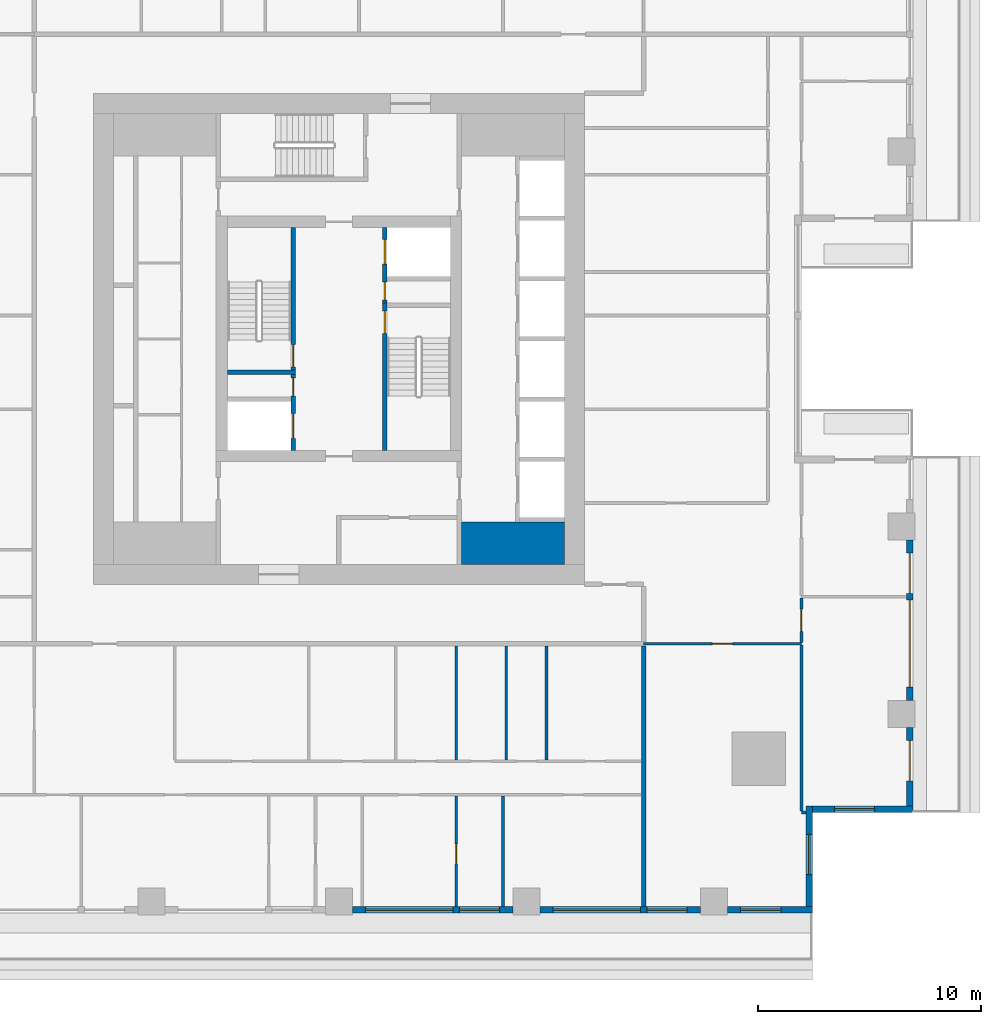
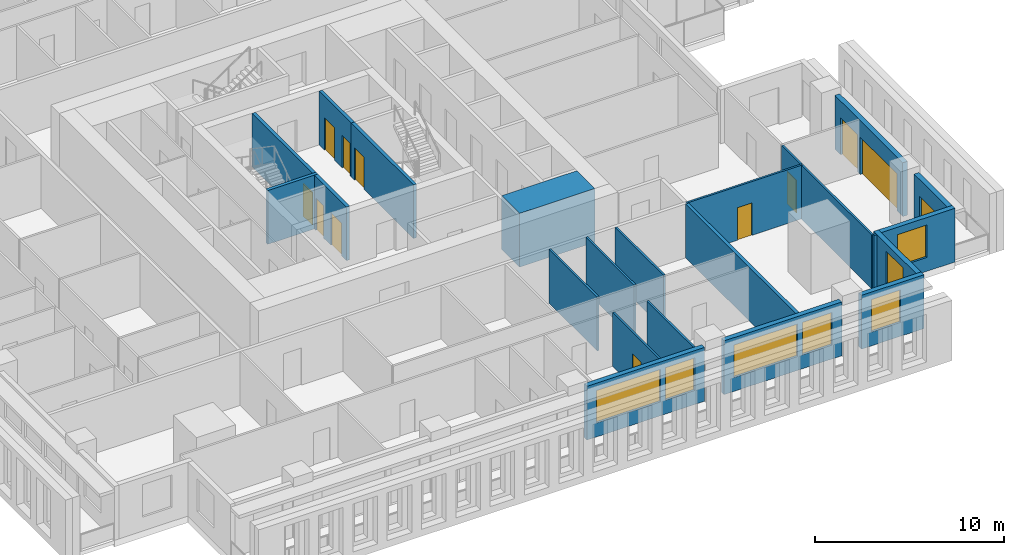
# One storey, part 4 of 15: 23 walls, 12 doors, 7 windows, 19 openings.
"""IFC4 building model written with IfcOpenShell, lengths in metres."""

from ifc_helpers import new_model, si_unit, direction, frame, frame_2d, origin, place, context, subcontext, project, spatial, rectangle, extrude, material, layer, layer_set, type_object, element, fill, save


model = new_model("IFC4")

# Units and contexts
model_context = context("Model", 3, precision=1e-05, world=origin(), true_north=direction((0.0, 1.0)))
body_context = subcontext(model_context, "Body", "Model", "MODEL_VIEW")
ifc_project = project(units=[si_unit("LENGTHUNIT", "METRE"), si_unit("AREAUNIT", "SQUARE_METRE"), si_unit("VOLUMEUNIT", "CUBIC_METRE"), si_unit("PLANEANGLEUNIT", "RADIAN"), si_unit("MASSUNIT", "GRAM", prefix="KILO")], contexts=[model_context])

# Site, building, storey
site_placement = place(None, origin())
site = spatial("IfcSite", under=ifc_project, at=site_placement, CompositionType="ELEMENT")
building_placement = place(site_placement, origin())
building = spatial("IfcBuilding", under=site, at=building_placement, Name="Khepri Terraces", CompositionType="ELEMENT")
storey_placement = place(building_placement, frame((0.0, 0.0, 196.199951171875)))
storey = spatial("IfcBuildingStorey", under=building, at=storey_placement, Name="L46", CompositionType="ELEMENT", Elevation=196.199951171875)

# Wall
ifc_material_1 = material(Name="Concrete C50/60", Category="concrete")
ifc_layer_1 = layer(ifc_material_1, 1.89990234375, Name="Concrete C50/60", Category="concrete")
ifc_layer_set_1 = layer_set([ifc_layer_1], Name="Concrete C50/60")
wall_type_1 = type_object("IfcWallType", Name="Core wall 1900 C50/60", PredefinedType="SHEAR", material=ifc_layer_set_1)
wall_1_placement = place(storey_placement, frame((5.5, -9.14990234375, 0.0), z_axis=(0.0, 0.0, 1.0), x_axis=(1.0, 0.0, 0.0)))
element("IfcWall", 1, at=wall_1_placement, inside=storey, type_object=wall_type_1, Name="Core wall PR02 L46", PredefinedType="SHEAR", context=body_context, shape_type="SweptSolid", body=[
    extrude(rectangle(XDim=4.60009765625, YDim=1.89990234375, at=frame_2d((2.300048828125, 0.0))), origin(), (0.0, 0.0, 1.0), 3.47998046875),
])

# Wall, opening, door
ifc_layer_2 = layer(ifc_material_1, 0.199951171875, Name="Concrete C50/60", Category="concrete")
ifc_layer_set_2 = layer_set([ifc_layer_2], Name="Concrete C50/60")
wall_type_2 = type_object("IfcWallType", Name="Core wall 200 C50/60", PredefinedType="SHEAR", material=ifc_layer_set_2)
wall_2_placement = place(storey_placement, frame((2.050048828125, -5.0, 0.0), z_axis=(0.0, 0.0, 1.0), x_axis=(0.0, 1.0, 0.0)))
wall_2 = element("IfcWall", 2, at=wall_2_placement, inside=storey, type_object=wall_type_2, Name="Core wall ST01 L46", PredefinedType="SHEAR", context=body_context, shape_type="SweptSolid", body=[
    extrude(rectangle(XDim=6.60009765625, YDim=0.199951171875, at=frame_2d((3.300048828125, 0.0))), origin(), (0.0, 0.0, 1.0), 3.47998046875),
])
opening_1_placement = place(wall_2_placement, frame((5.25, 0.0, 0.0)))
opening_1 = element("IfcOpeningElement", 3, at=opening_1_placement, cuts=wall_2, Name="Opening L46-C10", PredefinedType="OPENING", context=body_context, shape_type="SweptSolid", body=[
    extrude(rectangle(XDim=1.0, YDim=2.10009765625, at=frame_2d((0.5, 1.050048828125))), frame((0.0, 0.10986328125, 0.0), z_axis=(0.0, -1.0, 0.0), x_axis=(1.0, 0.0, 0.0)), (0.0, 0.0, 1.0), 0.219970703125),
])
ifc_material_2 = material(Name="Painted steel", Category="steel")
door_type_1 = type_object("IfcDoorType", Name="DR-CORE-STAIR-1000", OperationType="NOTDEFINED", PredefinedType="DOOR", material=ifc_material_2)
door_1_placement = place(opening_1_placement, frame((1.0, 0.0, 0.0), z_axis=(0.0, 0.0, 1.0), x_axis=(-1.0, 0.0, 0.0)))
door_1 = element("IfcDoor", 4, at=door_1_placement, inside=storey, type_object=door_type_1, Name="Stair door L46-C10", OperationType="SINGLE_SWING_LEFT", OverallHeight=2.10009765625, OverallWidth=1.0, PredefinedType="DOOR", context=body_context, shape_type="SweptSolid", body=[
    extrude(rectangle(XDim=1.0, YDim=2.10009765625, at=frame_2d((0.5, 1.050048828125))), frame((0.0, 0.02490234375, 0.0), z_axis=(0.0, -1.0, 0.0), x_axis=(1.0, 0.0, 0.0)), (0.0, 0.0, 1.0), 0.050048828125),
])
fill(opening_1, door_1)

# Wall
wall_3_placement = place(storey_placement, frame((-5.0, -1.5, 0.0), z_axis=(0.0, 0.0, 1.0), x_axis=(1.0, 0.0, 0.0)))
element("IfcWall", 5, at=wall_3_placement, inside=storey, type_object=wall_type_2, Name="Core wall ST02 L46", PredefinedType="SHEAR", context=body_context, shape_type="SweptSolid", body=[
    extrude(rectangle(XDim=3.050048828125, YDim=0.199951171875, at=frame_2d((1.52490234375, 0.0))), origin(), (0.0, 0.0, 1.0), 3.47998046875),
])

# Wall, opening, door
wall_4_placement = place(storey_placement, frame((-2.050048828125, -1.39990234375, 0.0), z_axis=(0.0, 0.0, 1.0), x_axis=(0.0, 1.0, 0.0)))
wall_4 = element("IfcWall", 6, at=wall_4_placement, inside=storey, type_object=wall_type_2, Name="Core wall ST03 L46", PredefinedType="SHEAR", context=body_context, shape_type="SweptSolid", body=[
    extrude(rectangle(XDim=6.39990234375, YDim=0.199951171875, at=frame_2d((3.199951171875, 0.0))), origin(), (0.0, 0.0, 1.0), 3.47998046875),
])
opening_2_placement = place(wall_4_placement, frame((0.14990234375, 0.0, 0.0)))
opening_2 = element("IfcOpeningElement", 7, at=opening_2_placement, cuts=wall_4, Name="Opening L46-C09", PredefinedType="OPENING", context=body_context, shape_type="SweptSolid", body=[
    extrude(rectangle(XDim=1.0, YDim=2.10009765625, at=frame_2d((0.5, 1.050048828125))), frame((0.0, 0.10986328125, 0.0), z_axis=(0.0, -1.0, 0.0), x_axis=(1.0, 0.0, 0.0)), (0.0, 0.0, 1.0), 0.219970703125),
])
door_2_placement = place(opening_2_placement, origin())
door_2 = element("IfcDoor", 8, at=door_2_placement, inside=storey, type_object=door_type_1, Name="Stair door L46-C09", OperationType="SINGLE_SWING_LEFT", OverallHeight=2.10009765625, OverallWidth=1.0, PredefinedType="DOOR", context=body_context, shape_type="SweptSolid", body=[
    extrude(rectangle(XDim=1.0, YDim=2.10009765625, at=frame_2d((0.5, 1.050048828125))), frame((0.0, 0.02490234375, 0.0), z_axis=(0.0, -1.0, 0.0), x_axis=(1.0, 0.0, 0.0)), (0.0, 0.0, 1.0), 0.050048828125),
])
fill(opening_2, door_2)

# Wall, openings, doors
wall_5_placement = place(storey_placement, frame((-2.050048828125, -5.0, 0.0), z_axis=(0.0, 0.0, 1.0), x_axis=(0.0, 1.0, 0.0)))
wall_5 = element("IfcWall", 9, at=wall_5_placement, inside=storey, type_object=wall_type_2, Name="Core wall SH05 L46", PredefinedType="SHEAR", context=body_context, shape_type="SweptSolid", body=[
    extrude(rectangle(XDim=3.39990234375, YDim=0.199951171875, at=frame_2d((1.699951171875, 0.0))), origin(), (0.0, 0.0, 1.0), 3.47998046875),
])
opening_3_placement = place(wall_5_placement, frame((0.550048828125, 0.0, 0.0)))
opening_3 = element("IfcOpeningElement", 10, at=opening_3_placement, cuts=wall_5, Name="Opening L46-C08", PredefinedType="OPENING", context=body_context, shape_type="SweptSolid", body=[
    extrude(rectangle(XDim=1.10009765625, YDim=2.10009765625, at=frame_2d((0.550048828125, 1.050048828125))), frame((0.0, 0.10986328125, 0.0), z_axis=(0.0, -1.0, 0.0), x_axis=(1.0, 0.0, 0.0)), (0.0, 0.0, 1.0), 0.219970703125),
])
opening_4_placement = place(wall_5_placement, frame((2.449951171875, 0.0, 0.0)))
opening_4 = element("IfcOpeningElement", 11, at=opening_4_placement, cuts=wall_5, Name="Opening L46-C12", PredefinedType="OPENING", context=body_context, shape_type="SweptSolid", body=[
    extrude(rectangle(XDim=0.800048828125, YDim=2.10009765625, at=frame_2d((0.39990234375, 1.050048828125))), frame((0.0, 0.10986328125, 0.0), z_axis=(0.0, -1.0, 0.0), x_axis=(1.0, 0.0, 0.0)), (0.0, 0.0, 1.0), 0.219970703125),
])
ifc_material_3 = material(Name="Stainless steel 304", Category="steel")
door_type_2 = type_object("IfcDoorType", Name="DR-CORE-FF-LANDING-1100", OperationType="NOTDEFINED", PredefinedType="DOOR", material=ifc_material_3)
door_3_placement = place(opening_3_placement, origin())
door_3 = element("IfcDoor", 12, at=door_3_placement, inside=storey, type_object=door_type_2, Name="Firefighting lift landing door L46-C08", OperationType="SLIDING_TO_LEFT", OverallHeight=2.10009765625, OverallWidth=1.10009765625, PredefinedType="DOOR", context=body_context, shape_type="SweptSolid", body=[
    extrude(rectangle(XDim=1.10009765625, YDim=2.10009765625, at=frame_2d((0.550048828125, 1.050048828125))), frame((0.0, 0.02490234375, 0.0), z_axis=(0.0, -1.0, 0.0), x_axis=(1.0, 0.0, 0.0)), (0.0, 0.0, 1.0), 0.050048828125),
])
fill(opening_3, door_3)
door_type_3 = type_object("IfcDoorType", Name="DR-CORE-RISER-800", OperationType="NOTDEFINED", PredefinedType="DOOR", material=ifc_material_2)
door_4_placement = place(opening_4_placement, origin())
door_4 = element("IfcDoor", 13, at=door_4_placement, inside=storey, type_object=door_type_3, Name="Riser door L46-C12", OperationType="SINGLE_SWING_RIGHT", OverallHeight=2.10009765625, OverallWidth=0.800048828125, PredefinedType="DOOR", context=body_context, shape_type="SweptSolid", body=[
    extrude(rectangle(XDim=0.800048828125, YDim=2.10009765625, at=frame_2d((0.39990234375, 1.050048828125))), frame((0.0, 0.02490234375, 0.0), z_axis=(0.0, -1.0, 0.0), x_axis=(1.0, 0.0, 0.0)), (0.0, 0.0, 1.0), 0.050048828125),
])
fill(opening_4, door_4)

wall_6_placement = place(storey_placement, frame((2.050048828125, 1.60009765625, 0.0), z_axis=(0.0, 0.0, 1.0), x_axis=(0.0, 1.0, 0.0)))
wall_6 = element("IfcWall", 14, at=wall_6_placement, inside=storey, type_object=wall_type_2, Name="Core wall SH10 L46", PredefinedType="SHEAR", context=body_context, shape_type="SweptSolid", body=[
    extrude(rectangle(XDim=3.39990234375, YDim=0.199951171875, at=frame_2d((1.699951171875, 0.0))), origin(), (0.0, 0.0, 1.0), 3.47998046875),
])
opening_5_placement = place(wall_6_placement, frame((1.75, 0.0, 0.0)))
opening_5 = element("IfcOpeningElement", 15, at=opening_5_placement, cuts=wall_6, Name="Opening L46-C07", PredefinedType="OPENING", context=body_context, shape_type="SweptSolid", body=[
    extrude(rectangle(XDim=1.10009765625, YDim=2.10009765625, at=frame_2d((0.550048828125, 1.050048828125))), frame((0.0, 0.10986328125, 0.0), z_axis=(0.0, -1.0, 0.0), x_axis=(1.0, 0.0, 0.0)), (0.0, 0.0, 1.0), 0.219970703125),
])
opening_6_placement = place(wall_6_placement, frame((0.14990234375, 0.0, 0.0)))
opening_6 = element("IfcOpeningElement", 16, at=opening_6_placement, cuts=wall_6, Name="Opening L46-C11", PredefinedType="OPENING", context=body_context, shape_type="SweptSolid", body=[
    extrude(rectangle(XDim=0.800048828125, YDim=2.10009765625, at=frame_2d((0.39990234375, 1.050048828125))), frame((0.0, 0.10986328125, 0.0), z_axis=(0.0, -1.0, 0.0), x_axis=(1.0, 0.0, 0.0)), (0.0, 0.0, 1.0), 0.219970703125),
])
door_5_placement = place(opening_5_placement, origin())
door_5 = element("IfcDoor", 17, at=door_5_placement, inside=storey, type_object=door_type_2, Name="Firefighting lift landing door L46-C07", OperationType="SLIDING_TO_LEFT", OverallHeight=2.10009765625, OverallWidth=1.10009765625, PredefinedType="DOOR", context=body_context, shape_type="SweptSolid", body=[
    extrude(rectangle(XDim=1.10009765625, YDim=2.10009765625, at=frame_2d((0.550048828125, 1.050048828125))), frame((0.0, 0.02490234375, 0.0), z_axis=(0.0, -1.0, 0.0), x_axis=(1.0, 0.0, 0.0)), (0.0, 0.0, 1.0), 0.050048828125),
])
fill(opening_5, door_5)
door_6_placement = place(opening_6_placement, frame((0.800048828125, 0.0, 0.0), z_axis=(0.0, 0.0, 1.0), x_axis=(-1.0, 0.0, 0.0)))
door_6 = element("IfcDoor", 18, at=door_6_placement, inside=storey, type_object=door_type_3, Name="Riser door L46-C11", OperationType="SINGLE_SWING_RIGHT", OverallHeight=2.10009765625, OverallWidth=0.800048828125, PredefinedType="DOOR", context=body_context, shape_type="SweptSolid", body=[
    extrude(rectangle(XDim=0.800048828125, YDim=2.10009765625, at=frame_2d((0.39990234375, 1.050048828125))), frame((0.0, 0.02490234375, 0.0), z_axis=(0.0, -1.0, 0.0), x_axis=(1.0, 0.0, 0.0)), (0.0, 0.0, 1.0), 0.050048828125),
])
fill(opening_6, door_6)

# Wall
ifc_material_4 = material(Name="Fire-rated gypsum plasterboard partition, mineral wool")
ifc_layer_3 = layer(ifc_material_4, 0.199951171875, Name="Fire-rated gypsum plasterboard partition, mineral wool")
ifc_layer_set_3 = layer_set([ifc_layer_3], Name="Fire-rated gypsum plasterboard partition, mineral wool")
wall_type_3 = type_object("IfcWallType", Name="WL-CORR-200", PredefinedType="PARTITIONING", material=ifc_layer_set_3)
wall_7_placement = place(storey_placement, frame((13.64990234375, -25.419921875, 0.0), z_axis=(0.0, 0.0, 1.0), x_axis=(0.0, 1.0, 0.0)))
element("IfcWall", 19, at=wall_7_placement, inside=storey, type_object=wall_type_3, Name="Partition P-007 L46", PredefinedType="PARTITIONING", context=body_context, shape_type="SweptSolid", body=[
    extrude(rectangle(XDim=11.669921875, YDim=0.199951171875, at=frame_2d((5.8349609375, 0.0))), origin(), (0.0, 0.0, 1.0), 3.47998046875),
])

# Wall, opening, window
ifc_material_5 = material(Name="Precast concrete C50/60 warm stone", Category="masonry")
ifc_layer_4 = layer(ifc_material_5, 0.300048828125, Name="Precast concrete C50/60 warm stone", Category="masonry")
ifc_layer_set_4 = layer_set([ifc_layer_4], Name="Precast concrete C50/60 warm stone")
wall_type_4 = type_object("IfcWallType", Name="WL-EXT-PRECAST-300", PredefinedType="STANDARD", material=ifc_layer_set_4)
wall_8_placement = place(storey_placement, frame((21.219970703125, -21.070068359375, 0.0), z_axis=(0.0, 0.0, 1.0), x_axis=(1.0, 0.0, 0.0)))
wall_8 = element("IfcWall", 20, at=wall_8_placement, inside=storey, type_object=wall_type_4, Name="External wall L46 S", PredefinedType="STANDARD", context=body_context, shape_type="SweptSolid", body=[
    extrude(rectangle(XDim=4.5, YDim=0.300048828125, at=frame_2d((2.25, 0.0))), origin(), (0.0, 0.0, 1.0), 3.47998046875),
])
opening_7_placement = place(wall_8_placement, frame((0.97998046875, 0.0, 0.89990234375)))
opening_7 = element("IfcOpeningElement", 21, at=opening_7_placement, cuts=wall_8, Name="Opening W1", PredefinedType="OPENING", context=body_context, shape_type="SweptSolid", body=[
    extrude(rectangle(XDim=1.800048828125, YDim=2.10009765625, at=frame_2d((0.89990234375, 1.050048828125))), frame((0.0, 0.16015625, 0.0), z_axis=(0.0, -1.0, 0.0), x_axis=(1.0, 0.0, 0.0)), (0.0, 0.0, 1.0), 0.320068359375),
])
ifc_material_6 = material(Name="Clear glass", Category="glass")
window_type_1 = type_object("IfcWindowType", Name="WIN-RES-1800x2100", PartitioningType="SINGLE_PANEL", PredefinedType="WINDOW", material=ifc_material_6)
window_1_placement = place(opening_7_placement, origin())
window_1 = element("IfcWindow", 22, at=window_1_placement, inside=storey, type_object=window_type_1, Name="Window L46 S", OverallHeight=2.10009765625, OverallWidth=1.800048828125, PartitioningType="SINGLE_PANEL", PredefinedType="WINDOW", context=body_context, shape_type="SweptSolid", body=[
    extrude(rectangle(XDim=1.800048828125, YDim=2.10009765625, at=frame_2d((0.89990234375, 1.050048828125))), frame((0.0, 0.030029296875, 0.0), z_axis=(0.0, -1.0, 0.0), x_axis=(1.0, 0.0, 0.0)), (0.0, 0.0, 1.0), 0.06005859375),
])
fill(opening_7, window_1)

# Wall, opening, door
wall_9_placement = place(storey_placement, frame((25.570068359375, -20.919921875, 0.0), z_axis=(0.0, 0.0, 1.0), x_axis=(0.0, 1.0, 0.0)))
wall_9 = element("IfcWall", 23, at=wall_9_placement, inside=storey, type_object=wall_type_4, Name="External wall L46 E", PredefinedType="STANDARD", context=body_context, shape_type="SweptSolid", body=[
    extrude(rectangle(XDim=3.52001953125, YDim=0.300048828125, at=frame_2d((1.760009765625, 0.0))), origin(), (0.0, 0.0, 1.0), 3.47998046875),
])
opening_8_placement = place(wall_9_placement, frame((1.1201171875, 0.0, 0.0)))
opening_8 = element("IfcOpeningElement", 24, at=opening_8_placement, cuts=wall_9, Name="Opening ED-L46-01", PredefinedType="OPENING", context=body_context, shape_type="SweptSolid", body=[
    extrude(rectangle(XDim=1.800048828125, YDim=2.39990234375, at=frame_2d((0.89990234375, 1.199951171875))), frame((0.0, 0.16015625, 0.0), z_axis=(0.0, -1.0, 0.0), x_axis=(1.0, 0.0, 0.0)), (0.0, 0.0, 1.0), 0.320068359375),
])
ifc_material_7 = material(Name="Anodised aluminium bronze glazed door", Category="aluminium")
door_type_4 = type_object("IfcDoorType", Name="DR-BAL-SLIDE-1800x2400", OperationType="NOTDEFINED", PredefinedType="DOOR", material=ifc_material_7)
door_7_placement = place(opening_8_placement, origin())
door_7 = element("IfcDoor", 25, at=door_7_placement, inside=storey, type_object=door_type_4, Name="Balcony door L46 E", OperationType="SLIDING_TO_RIGHT", OverallHeight=2.39990234375, OverallWidth=1.800048828125, PredefinedType="DOOR", context=body_context, shape_type="SweptSolid", body=[
    extrude(rectangle(XDim=1.800048828125, YDim=2.39990234375, at=frame_2d((0.89990234375, 1.199951171875))), frame((0.0, 0.02490234375, 0.0), z_axis=(0.0, -1.0, 0.0), x_axis=(1.0, 0.0, 0.0)), (0.0, 0.0, 1.0), 0.050048828125),
])
fill(opening_8, door_7)

# Wall, openings, doors
wall_10_placement = place(storey_placement, frame((25.570068359375, -16.199951171875, 0.0), z_axis=(0.0, 0.0, 1.0), x_axis=(0.0, 1.0, 0.0)))
wall_10 = element("IfcWall", 26, at=wall_10_placement, inside=storey, type_object=wall_type_4, Name="External wall L46 E", PredefinedType="STANDARD", context=body_context, shape_type="SweptSolid", body=[
    extrude(rectangle(XDim=7.199951171875, YDim=0.300048828125, at=frame_2d((3.60009765625, 0.0))), origin(), (0.0, 0.0, 1.0), 3.47998046875),
])
opening_9_placement = place(wall_10_placement, frame((0.60009765625, 0.0, 0.0)))
opening_9 = element("IfcOpeningElement", 27, at=opening_9_placement, cuts=wall_10, Name="Opening ED-L46-02", PredefinedType="OPENING", context=body_context, shape_type="SweptSolid", body=[
    extrude(rectangle(XDim=3.89990234375, YDim=2.39990234375, at=frame_2d((1.949951171875, 1.199951171875))), frame((0.0, 0.16015625, 0.0), z_axis=(0.0, -1.0, 0.0), x_axis=(1.0, 0.0, 0.0)), (0.0, 0.0, 1.0), 0.320068359375),
])
opening_10_placement = place(wall_10_placement, frame((4.800048828125, 0.0, 0.0)))
opening_10 = element("IfcOpeningElement", 28, at=opening_10_placement, cuts=wall_10, Name="Opening ED-L46-03", PredefinedType="OPENING", context=body_context, shape_type="SweptSolid", body=[
    extrude(rectangle(XDim=1.800048828125, YDim=2.39990234375, at=frame_2d((0.89990234375, 1.199951171875))), frame((0.0, 0.16015625, 0.0), z_axis=(0.0, -1.0, 0.0), x_axis=(1.0, 0.0, 0.0)), (0.0, 0.0, 1.0), 0.320068359375),
])
door_8_placement = place(opening_10_placement, origin())
door_8 = element("IfcDoor", 29, at=door_8_placement, inside=storey, type_object=door_type_4, Name="Balcony door L46 E", OperationType="SLIDING_TO_RIGHT", OverallHeight=2.39990234375, OverallWidth=1.800048828125, PredefinedType="DOOR", context=body_context, shape_type="SweptSolid", body=[
    extrude(rectangle(XDim=1.800048828125, YDim=2.39990234375, at=frame_2d((0.89990234375, 1.199951171875))), frame((0.0, 0.02490234375, 0.0), z_axis=(0.0, -1.0, 0.0), x_axis=(1.0, 0.0, 0.0)), (0.0, 0.0, 1.0), 0.050048828125),
])
fill(opening_10, door_8)
door_type_5 = type_object("IfcDoorType", Name="DR-BAL-SLIDE-3900x2400", OperationType="NOTDEFINED", PredefinedType="DOOR", material=ifc_material_7)
door_9_placement = place(opening_9_placement, origin())
door_9 = element("IfcDoor", 30, at=door_9_placement, inside=storey, type_object=door_type_5, Name="Balcony door L46 E", OperationType="SLIDING_TO_LEFT", OverallHeight=2.39990234375, OverallWidth=3.89990234375, PredefinedType="DOOR", context=body_context, shape_type="SweptSolid", body=[
    extrude(rectangle(XDim=3.89990234375, YDim=2.39990234375, at=frame_2d((1.949951171875, 1.199951171875))), frame((0.0, 0.02490234375, 0.0), z_axis=(0.0, -1.0, 0.0), x_axis=(1.0, 0.0, 0.0)), (0.0, 0.0, 1.0), 0.050048828125),
])
fill(opening_9, door_9)

# Wall, openings, windows
wall_11_placement = place(storey_placement, frame((0.60009765625, -25.570068359375, 0.0), z_axis=(0.0, 0.0, 1.0), x_axis=(1.0, 0.0, 0.0)))
wall_11 = element("IfcWall", 31, at=wall_11_placement, inside=storey, type_object=wall_type_4, Name="External wall L46 S", PredefinedType="STANDARD", context=body_context, shape_type="SweptSolid", body=[
    extrude(rectangle(XDim=7.199951171875, YDim=0.300048828125, at=frame_2d((3.60009765625, 0.0))), origin(), (0.0, 0.0, 1.0), 3.47998046875),
])
opening_11_placement = place(wall_11_placement, frame((0.60009765625, 0.0, 0.89990234375)))
opening_11 = element("IfcOpeningElement", 32, at=opening_11_placement, cuts=wall_11, Name="Opening W2", PredefinedType="OPENING", context=body_context, shape_type="SweptSolid", body=[
    extrude(rectangle(XDim=3.89990234375, YDim=2.10009765625, at=frame_2d((1.949951171875, 1.050048828125))), frame((0.0, 0.16015625, 0.0), z_axis=(0.0, -1.0, 0.0), x_axis=(1.0, 0.0, 0.0)), (0.0, 0.0, 1.0), 0.320068359375),
])
opening_12_placement = place(wall_11_placement, frame((4.800048828125, 0.0, 0.89990234375)))
opening_12 = element("IfcOpeningElement", 33, at=opening_12_placement, cuts=wall_11, Name="Opening W1", PredefinedType="OPENING", context=body_context, shape_type="SweptSolid", body=[
    extrude(rectangle(XDim=1.800048828125, YDim=2.10009765625, at=frame_2d((0.89990234375, 1.050048828125))), frame((0.0, 0.16015625, 0.0), z_axis=(0.0, -1.0, 0.0), x_axis=(1.0, 0.0, 0.0)), (0.0, 0.0, 1.0), 0.320068359375),
])
window_2_placement = place(opening_12_placement, origin())
window_2 = element("IfcWindow", 34, at=window_2_placement, inside=storey, type_object=window_type_1, Name="Window L46 S", OverallHeight=2.10009765625, OverallWidth=1.800048828125, PartitioningType="SINGLE_PANEL", PredefinedType="WINDOW", context=body_context, shape_type="SweptSolid", body=[
    extrude(rectangle(XDim=1.800048828125, YDim=2.10009765625, at=frame_2d((0.89990234375, 1.050048828125))), frame((0.0, 0.030029296875, 0.0), z_axis=(0.0, -1.0, 0.0), x_axis=(1.0, 0.0, 0.0)), (0.0, 0.0, 1.0), 0.06005859375),
])
fill(opening_12, window_2)
window_type_2 = type_object("IfcWindowType", Name="WIN-RES-3900x2100", PartitioningType="SINGLE_PANEL", PredefinedType="WINDOW", material=ifc_material_6)
window_3_placement = place(opening_11_placement, origin())
window_3 = element("IfcWindow", 35, at=window_3_placement, inside=storey, type_object=window_type_2, Name="Window L46 S", OverallHeight=2.10009765625, OverallWidth=3.89990234375, PartitioningType="SINGLE_PANEL", PredefinedType="WINDOW", context=body_context, shape_type="SweptSolid", body=[
    extrude(rectangle(XDim=3.89990234375, YDim=2.10009765625, at=frame_2d((1.949951171875, 1.050048828125))), frame((0.0, 0.030029296875, 0.0), z_axis=(0.0, -1.0, 0.0), x_axis=(1.0, 0.0, 0.0)), (0.0, 0.0, 1.0), 0.06005859375),
])
fill(opening_11, window_3)

wall_12_placement = place(storey_placement, frame((9.0, -25.570068359375, 0.0), z_axis=(0.0, 0.0, 1.0), x_axis=(1.0, 0.0, 0.0)))
wall_12 = element("IfcWall", 36, at=wall_12_placement, inside=storey, type_object=wall_type_4, Name="External wall L46 S", PredefinedType="STANDARD", context=body_context, shape_type="SweptSolid", body=[
    extrude(rectangle(XDim=7.199951171875, YDim=0.300048828125, at=frame_2d((3.60009765625, 0.0))), origin(), (0.0, 0.0, 1.0), 3.47998046875),
])
opening_13_placement = place(wall_12_placement, frame((0.60009765625, 0.0, 0.89990234375)))
opening_13 = element("IfcOpeningElement", 37, at=opening_13_placement, cuts=wall_12, Name="Opening W2", PredefinedType="OPENING", context=body_context, shape_type="SweptSolid", body=[
    extrude(rectangle(XDim=3.89990234375, YDim=2.10009765625, at=frame_2d((1.949951171875, 1.050048828125))), frame((0.0, 0.16015625, 0.0), z_axis=(0.0, -1.0, 0.0), x_axis=(1.0, 0.0, 0.0)), (0.0, 0.0, 1.0), 0.320068359375),
])
opening_14_placement = place(wall_12_placement, frame((4.800048828125, 0.0, 0.89990234375)))
opening_14 = element("IfcOpeningElement", 38, at=opening_14_placement, cuts=wall_12, Name="Opening W1", PredefinedType="OPENING", context=body_context, shape_type="SweptSolid", body=[
    extrude(rectangle(XDim=1.800048828125, YDim=2.10009765625, at=frame_2d((0.89990234375, 1.050048828125))), frame((0.0, 0.16015625, 0.0), z_axis=(0.0, -1.0, 0.0), x_axis=(1.0, 0.0, 0.0)), (0.0, 0.0, 1.0), 0.320068359375),
])
window_4_placement = place(opening_14_placement, origin())
window_4 = element("IfcWindow", 39, at=window_4_placement, inside=storey, type_object=window_type_1, Name="Window L46 S", OverallHeight=2.10009765625, OverallWidth=1.800048828125, PartitioningType="SINGLE_PANEL", PredefinedType="WINDOW", context=body_context, shape_type="SweptSolid", body=[
    extrude(rectangle(XDim=1.800048828125, YDim=2.10009765625, at=frame_2d((0.89990234375, 1.050048828125))), frame((0.0, 0.030029296875, 0.0), z_axis=(0.0, -1.0, 0.0), x_axis=(1.0, 0.0, 0.0)), (0.0, 0.0, 1.0), 0.06005859375),
])
fill(opening_14, window_4)
window_5_placement = place(opening_13_placement, origin())
window_5 = element("IfcWindow", 40, at=window_5_placement, inside=storey, type_object=window_type_2, Name="Window L46 S", OverallHeight=2.10009765625, OverallWidth=3.89990234375, PartitioningType="SINGLE_PANEL", PredefinedType="WINDOW", context=body_context, shape_type="SweptSolid", body=[
    extrude(rectangle(XDim=3.89990234375, YDim=2.10009765625, at=frame_2d((1.949951171875, 1.050048828125))), frame((0.0, 0.030029296875, 0.0), z_axis=(0.0, -1.0, 0.0), x_axis=(1.0, 0.0, 0.0)), (0.0, 0.0, 1.0), 0.06005859375),
])
fill(opening_13, window_5)

# Wall, opening, window
wall_13_placement = place(storey_placement, frame((17.39990234375, -25.570068359375, 0.0), z_axis=(0.0, 0.0, 1.0), x_axis=(1.0, 0.0, 0.0)))
wall_13 = element("IfcWall", 41, at=wall_13_placement, inside=storey, type_object=wall_type_4, Name="External wall L46 S", PredefinedType="STANDARD", context=body_context, shape_type="SweptSolid", body=[
    extrude(rectangle(XDim=3.820068359375, YDim=0.300048828125, at=frame_2d((1.91015625, 0.0))), origin(), (0.0, 0.0, 1.0), 3.47998046875),
])
opening_15_placement = place(wall_13_placement, frame((0.60009765625, 0.0, 0.89990234375)))
opening_15 = element("IfcOpeningElement", 42, at=opening_15_placement, cuts=wall_13, Name="Opening W1", PredefinedType="OPENING", context=body_context, shape_type="SweptSolid", body=[
    extrude(rectangle(XDim=1.800048828125, YDim=2.10009765625, at=frame_2d((0.89990234375, 1.050048828125))), frame((0.0, 0.16015625, 0.0), z_axis=(0.0, -1.0, 0.0), x_axis=(1.0, 0.0, 0.0)), (0.0, 0.0, 1.0), 0.320068359375),
])
window_6_placement = place(opening_15_placement, origin())
window_6 = element("IfcWindow", 43, at=window_6_placement, inside=storey, type_object=window_type_1, Name="Window L46 S", OverallHeight=2.10009765625, OverallWidth=1.800048828125, PartitioningType="SINGLE_PANEL", PredefinedType="WINDOW", context=body_context, shape_type="SweptSolid", body=[
    extrude(rectangle(XDim=1.800048828125, YDim=2.10009765625, at=frame_2d((0.89990234375, 1.050048828125))), frame((0.0, 0.030029296875, 0.0), z_axis=(0.0, -1.0, 0.0), x_axis=(1.0, 0.0, 0.0)), (0.0, 0.0, 1.0), 0.06005859375),
])
fill(opening_15, window_6)

wall_14_placement = place(storey_placement, frame((21.070068359375, -25.419921875, 0.0), z_axis=(0.0, 0.0, 1.0), x_axis=(0.0, 1.0, 0.0)))
wall_14 = element("IfcWall", 44, at=wall_14_placement, inside=storey, type_object=wall_type_4, Name="External wall L46 E", PredefinedType="STANDARD", context=body_context, shape_type="SweptSolid", body=[
    extrude(rectangle(XDim=4.5, YDim=0.300048828125, at=frame_2d((2.25, 0.0))), origin(), (0.0, 0.0, 1.0), 3.47998046875),
])
opening_16_placement = place(wall_14_placement, frame((1.419921875, 0.0, 0.89990234375)))
opening_16 = element("IfcOpeningElement", 45, at=opening_16_placement, cuts=wall_14, Name="Opening W1", PredefinedType="OPENING", context=body_context, shape_type="SweptSolid", body=[
    extrude(rectangle(XDim=1.800048828125, YDim=2.10009765625, at=frame_2d((0.89990234375, 1.050048828125))), frame((0.0, 0.16015625, 0.0), z_axis=(0.0, -1.0, 0.0), x_axis=(1.0, 0.0, 0.0)), (0.0, 0.0, 1.0), 0.320068359375),
])
window_7_placement = place(opening_16_placement, origin())
window_7 = element("IfcWindow", 46, at=window_7_placement, inside=storey, type_object=window_type_1, Name="Window L46 E", OverallHeight=2.10009765625, OverallWidth=1.800048828125, PartitioningType="SINGLE_PANEL", PredefinedType="WINDOW", context=body_context, shape_type="SweptSolid", body=[
    extrude(rectangle(XDim=1.800048828125, YDim=2.10009765625, at=frame_2d((0.89990234375, 1.050048828125))), frame((0.0, 0.030029296875, 0.0), z_axis=(0.0, -1.0, 0.0), x_axis=(1.0, 0.0, 0.0)), (0.0, 0.0, 1.0), 0.06005859375),
])
fill(opening_16, window_7)

# Wall, opening, door
ifc_material_8 = material(Name="Gypsum plasterboard partition")
ifc_layer_5 = layer(ifc_material_8, 0.1201171875, Name="Gypsum plasterboard partition")
ifc_layer_set_5 = layer_set([ifc_layer_5], Name="Gypsum plasterboard partition")
wall_type_5 = type_object("IfcWallType", Name="WL-PART-120", PredefinedType="PARTITIONING", material=ifc_layer_set_5)
wall_15_placement = place(storey_placement, frame((5.25, -25.419921875, 0.0), z_axis=(0.0, 0.0, 1.0), x_axis=(0.0, 1.0, 0.0)))
wall_15 = element("IfcWall", 47, at=wall_15_placement, inside=storey, type_object=wall_type_5, Name="Partition P-005 L46", PredefinedType="PARTITIONING", context=body_context, shape_type="SweptSolid", body=[
    extrude(rectangle(XDim=4.93994140625, YDim=0.1201171875, at=frame_2d((2.469970703125, 0.0))), origin(), (0.0, 0.0, 1.0), 3.47998046875),
])
opening_17_placement = place(wall_15_placement, frame((1.89990234375, 0.0, 0.0)))
opening_17 = element("IfcOpeningElement", 48, at=opening_17_placement, cuts=wall_15, Name="Opening D4", PredefinedType="OPENING", context=body_context, shape_type="SweptSolid", body=[
    extrude(rectangle(XDim=0.89990234375, YDim=2.10009765625, at=frame_2d((0.449951171875, 1.050048828125))), frame((0.0, 0.070068359375, 0.0), z_axis=(0.0, -1.0, 0.0), x_axis=(1.0, 0.0, 0.0)), (0.0, 0.0, 1.0), 0.14013671875),
])
ifc_material_9 = material(Name="Timber door leaf, moisture resistant", Category="wood")
door_type_6 = type_object("IfcDoorType", Name="DR-WET-900", OperationType="NOTDEFINED", PredefinedType="DOOR", material=ifc_material_9)
door_10_placement = place(opening_17_placement, frame((0.89990234375, 0.0, 0.0), z_axis=(0.0, 0.0, 1.0), x_axis=(-1.0, 0.0, 0.0)))
door_10 = element("IfcDoor", 49, at=door_10_placement, inside=storey, type_object=door_type_6, Name="Door Bathroom", OperationType="SINGLE_SWING_RIGHT", OverallHeight=2.10009765625, OverallWidth=0.89990234375, PredefinedType="DOOR", context=body_context, shape_type="SweptSolid", body=[
    extrude(rectangle(XDim=0.89990234375, YDim=2.10009765625, at=frame_2d((0.449951171875, 1.050048828125))), frame((0.0, 0.02490234375, 0.0), z_axis=(0.0, -1.0, 0.0), x_axis=(1.0, 0.0, 0.0)), (0.0, 0.0, 1.0), 0.050048828125),
])
fill(opening_17, door_10)

# Walls
wall_16_placement = place(storey_placement, frame((7.35009765625, -25.419921875, 0.0), z_axis=(0.0, 0.0, 1.0), x_axis=(0.0, 1.0, 0.0)))
element("IfcWall", 50, at=wall_16_placement, inside=storey, type_object=wall_type_5, Name="Partition P-006 L46", PredefinedType="PARTITIONING", context=body_context, shape_type="SweptSolid", body=[
    extrude(rectangle(XDim=4.93994140625, YDim=0.1201171875, at=frame_2d((2.469970703125, 0.0))), origin(), (0.0, 0.0, 1.0), 3.47998046875),
])
wall_17_placement = place(storey_placement, frame((20.719970703125, -21.218994140625, 0.0), z_axis=(0.0, 0.0, 1.0), x_axis=(1.0, 0.0, 0.0)))
element("IfcWall", 51, at=wall_17_placement, inside=storey, type_object=wall_type_5, Name="Partition P-009 L46", PredefinedType="PARTITIONING", context=body_context, shape_type="SweptSolid", body=[
    extrude(rectangle(XDim=0.200927734375, YDim=0.1201171875, at=frame_2d((0.1005859375, 0.0))), origin(), (0.0, 0.0, 1.0), 3.47998046875),
])
wall_18_placement = place(storey_placement, frame((20.719970703125, -21.158935546875, 0.0), z_axis=(0.0, 0.0, 1.0), x_axis=(0.0, 1.0, 0.0)))
element("IfcWall", 52, at=wall_18_placement, inside=storey, type_object=wall_type_5, Name="Partition P-010 L46", PredefinedType="PARTITIONING", context=body_context, shape_type="SweptSolid", body=[
    extrude(rectangle(XDim=7.448974609375, YDim=0.1201171875, at=frame_2d((3.724609375, 0.0))), origin(), (0.0, 0.0, 1.0), 3.47998046875),
])
for number, where, z_axis, x_axis, name in (
    (53, (5.25, -18.860107421875, 0.0), (0.0, 0.0, 1.0), (0.0, 1.0, 0.0), "Partition P-017 L46"),
    (54, (7.5, -18.860107421875, 0.0), (0.0, 0.0, 1.0), (0.0, 1.0, 0.0), "Partition P-018 L46"),
    (55, (9.300048828125, -18.860107421875, 0.0), (0.0, 0.0, 1.0), (0.0, 1.0, 0.0), "Partition P-019 L46"),
):
    element("IfcWall", number, at=place(storey_placement, frame(where, z_axis=z_axis, x_axis=x_axis)), inside=storey, type_object=wall_type_5, Name=name, PredefinedType="PARTITIONING", context=body_context, shape_type="SweptSolid", body=[
        extrude(rectangle(XDim=5.110107421875, YDim=0.1201171875, at=frame_2d((2.55517578125, 0.0))), origin(), (0.0, 0.0, 1.0), 3.47998046875),
    ])

# Wall, opening, door
wall_19_placement = place(storey_placement, frame((13.64990234375, -13.64990234375, 0.0), z_axis=(0.0, 0.0, 1.0), x_axis=(1.0, 0.0, 0.0)))
wall_19 = element("IfcWall", 56, at=wall_19_placement, inside=storey, type_object=wall_type_5, Name="Partition P-021 L46", PredefinedType="PARTITIONING", context=body_context, shape_type="SweptSolid", body=[
    extrude(rectangle(XDim=7.070068359375, YDim=0.1201171875, at=frame_2d((3.53515625, 0.0))), origin(), (0.0, 0.0, 1.0), 3.47998046875),
])
opening_18_placement = place(wall_19_placement, frame((3.0849609375, 0.0, 0.0)))
opening_18 = element("IfcOpeningElement", 57, at=opening_18_placement, cuts=wall_19, Name="Opening D3", PredefinedType="OPENING", context=body_context, shape_type="SweptSolid", body=[
    extrude(rectangle(XDim=0.89990234375, YDim=2.10009765625, at=frame_2d((0.449951171875, 1.050048828125))), frame((0.0, 0.070068359375, 0.0), z_axis=(0.0, -1.0, 0.0), x_axis=(1.0, 0.0, 0.0)), (0.0, 0.0, 1.0), 0.14013671875),
])
ifc_material_10 = material(Name="Timber door leaf", Category="wood")
door_type_7 = type_object("IfcDoorType", Name="DR-INT-900", OperationType="NOTDEFINED", PredefinedType="DOOR", material=ifc_material_10)
door_11_placement = place(opening_18_placement, frame((0.89990234375, 0.0, 0.0), z_axis=(0.0, 0.0, 1.0), x_axis=(-1.0, 0.0, 0.0)))
door_11 = element("IfcDoor", 58, at=door_11_placement, inside=storey, type_object=door_type_7, Name="Door Library", OperationType="SINGLE_SWING_RIGHT", OverallHeight=2.10009765625, OverallWidth=0.89990234375, PredefinedType="DOOR", context=body_context, shape_type="SweptSolid", body=[
    extrude(rectangle(XDim=0.89990234375, YDim=2.10009765625, at=frame_2d((0.449951171875, 1.050048828125))), frame((0.0, 0.02490234375, 0.0), z_axis=(0.0, -1.0, 0.0), x_axis=(1.0, 0.0, 0.0)), (0.0, 0.0, 1.0), 0.050048828125),
])
fill(opening_18, door_11)

wall_20_placement = place(storey_placement, frame((20.719970703125, -13.590087890625, 0.0), z_axis=(0.0, 0.0, 1.0), x_axis=(0.0, 1.0, 0.0)))
wall_20 = element("IfcWall", 59, at=wall_20_placement, inside=storey, type_object=wall_type_5, Name="Partition P-022 L46", PredefinedType="PARTITIONING", context=body_context, shape_type="SweptSolid", body=[
    extrude(rectangle(XDim=1.97998046875, YDim=0.1201171875, at=frame_2d((0.989990234375, 0.0))), origin(), (0.0, 0.0, 1.0), 3.47998046875),
])
opening_19_placement = place(wall_20_placement, frame((0.489990234375, 0.0, 0.0)))
opening_19 = element("IfcOpeningElement", 60, at=opening_19_placement, cuts=wall_20, Name="Opening D2", PredefinedType="OPENING", context=body_context, shape_type="SweptSolid", body=[
    extrude(rectangle(XDim=1.0, YDim=2.10009765625, at=frame_2d((0.5, 1.050048828125))), frame((0.0, 0.070068359375, 0.0), z_axis=(0.0, -1.0, 0.0), x_axis=(1.0, 0.0, 0.0)), (0.0, 0.0, 1.0), 0.14013671875),
])
ifc_material_11 = material(Name="Timber door leaf, living room door", Category="wood")
door_type_8 = type_object("IfcDoorType", Name="DR-INT-1000", OperationType="NOTDEFINED", PredefinedType="DOOR", material=ifc_material_11)
door_12_placement = place(opening_19_placement, frame((1.0, 0.0, 0.0), z_axis=(0.0, 0.0, 1.0), x_axis=(-1.0, 0.0, 0.0)))
door_12 = element("IfcDoor", 61, at=door_12_placement, inside=storey, type_object=door_type_8, Name="Door Living Room", OperationType="SINGLE_SWING_RIGHT", OverallHeight=2.10009765625, OverallWidth=1.0, PredefinedType="DOOR", context=body_context, shape_type="SweptSolid", body=[
    extrude(rectangle(XDim=1.0, YDim=2.10009765625, at=frame_2d((0.5, 1.050048828125))), frame((0.0, 0.02490234375, 0.0), z_axis=(0.0, -1.0, 0.0), x_axis=(1.0, 0.0, 0.0)), (0.0, 0.0, 1.0), 0.050048828125),
])
fill(opening_19, door_12)

save(model, "model.ifc")
